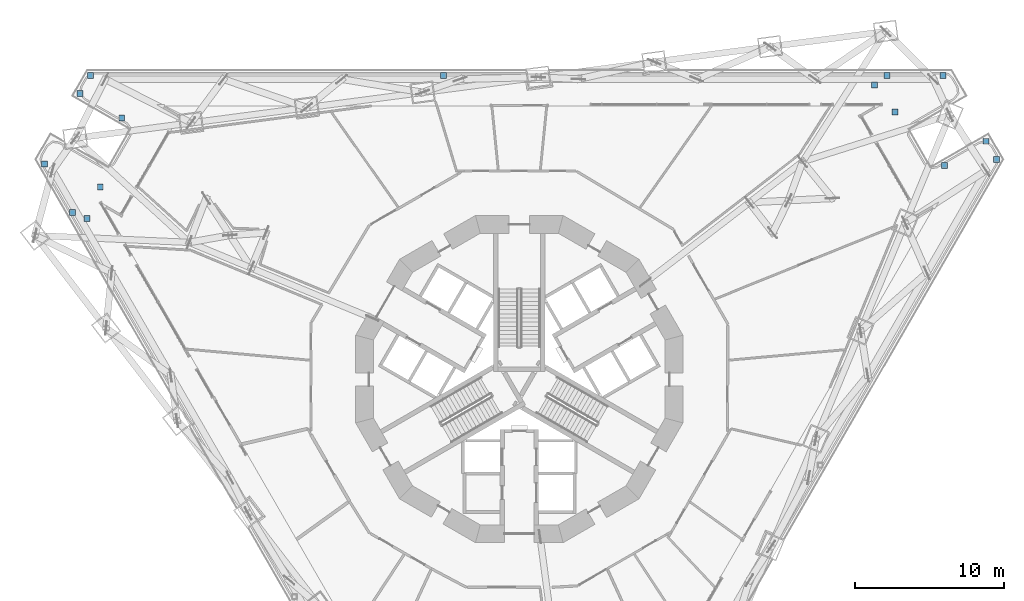
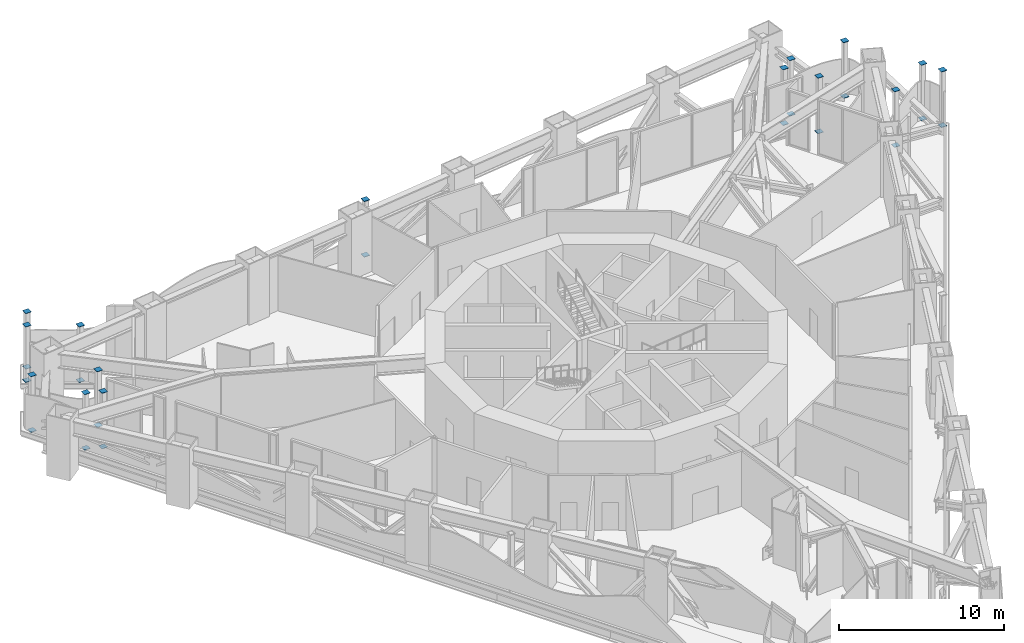
# One storey, part 20 of 28: 30 discrete accessories.
"""IFC4 building model written with IfcOpenShell, lengths in metres."""

from ifc_helpers import new_model, si_unit, direction, frame, origin, origin_2d, place, context, subcontext, project, spatial, rectangle, extrude, material, element, save


model = new_model("IFC4")

# Units and contexts
model_context = context("Model", 3, precision=1e-05, world=origin(), true_north=direction((0.0, 1.0)))
body_context = subcontext(model_context, "Body", "Model", "MODEL_VIEW")
ifc_project = project(units=[si_unit("LENGTHUNIT", "METRE"), si_unit("AREAUNIT", "SQUARE_METRE"), si_unit("VOLUMEUNIT", "CUBIC_METRE"), si_unit("PLANEANGLEUNIT", "RADIAN"), si_unit("MASSUNIT", "GRAM", prefix="KILO")], contexts=[model_context])

# Site, building, storey
site_placement = place(None, origin())
site = spatial("IfcSite", under=ifc_project, at=site_placement, CompositionType="ELEMENT")
building_placement = place(site_placement, origin())
building = spatial("IfcBuilding", under=site, at=building_placement, Name="Trine Commons Tower", CompositionType="ELEMENT")
storey_placement = place(building_placement, frame((0.0, 0.0, 45.89990234375)))
storey = spatial("IfcBuildingStorey", under=building, at=storey_placement, Name="L10", CompositionType="ELEMENT", Elevation=45.89990234375)

# Discrete accessories
ifc_material = material(Name="Structural steel ASTM A572 Gr50", Category="steel")
for number, where, z_axis, x_axis, name in (
    (1, (48.043212890625, 76.981689453125, 0.0), (0.0, 0.0, 1.0), (1.0, 0.0, 0.0), "Post base plate SP1-11"),
    (2, (48.043212890625, 76.981689453125, 4.1201171875), (0.0, 0.0, 1.0), (1.0, 0.0, 0.0), "Post cap plate SP1-11"),
    (3, (51.796630859375, 75.427001953125, 0.0), (0.0, 0.0, 1.0), (1.0, 0.0, 0.0), "Post base plate SP1-12"),
    (4, (51.796630859375, 75.427001953125, 4.1201171875), (0.0, 0.0, 1.0), (1.0, 0.0, 0.0), "Post cap plate SP1-12"),
    (5, (50.91650390625, 73.302001953125, 0.0), (0.0, 0.0, 1.0), (1.0, 0.0, 0.0), "Post base plate SP1-13"),
    (6, (50.91650390625, 73.302001953125, 4.1201171875), (0.0, 0.0, 1.0), (1.0, 0.0, 0.0), "Post cap plate SP1-13"),
    (7, (49.93212890625, 73.709716796875, 0.0), (0.0, 0.0, 1.0), (1.0, 0.0, 0.0), "Post base plate SP1-14"),
    (8, (49.93212890625, 73.709716796875, 4.1201171875), (0.0, 0.0, 1.0), (1.0, 0.0, 0.0), "Post cap plate SP1-14"),
    (9, (50.42431640625, 81.7119140625, 0.0), (0.0, 0.0, 1.0), (1.0, 0.0, 0.0), "Post base plate SP1-21"),
    (10, (50.42431640625, 81.7119140625, 4.1201171875), (0.0, 0.0, 1.0), (1.0, 0.0, 0.0), "Post cap plate SP1-21"),
    (11, (51.13037109375, 82.9345703125, 0.0), (0.0, 0.0, 1.0), (1.0, 0.0, 0.0), "Post base plate SP1-22"),
    (12, (51.13037109375, 82.9345703125, 4.1201171875), (0.0, 0.0, 1.0), (1.0, 0.0, 0.0), "Post cap plate SP1-22"),
    (13, (74.89013671875, 82.9345703125, 0.0), (0.0, 0.0, 1.0), (1.0, 0.0, 0.0), "Post base plate SP1-23"),
    (14, (74.89013671875, 82.9345703125, 4.1201171875), (0.0, 0.0, 1.0), (1.0, 0.0, 0.0), "Post cap plate SP1-23"),
    (15, (53.242431640625, 80.084716796875, 0.0), (0.0, 0.0, 1.0), (1.0, 0.0, 0.0), "Post base plate SP1-24"),
    (16, (53.242431640625, 80.084716796875, 4.1201171875), (0.0, 0.0, 1.0), (1.0, 0.0, 0.0), "Post cap plate SP1-24"),
    (17, (108.52001953125, 82.9345703125, 0.0), (0.0, 0.0, 1.0), (1.0, 0.0, 0.0), "Post base plate SP1-51"),
    (18, (108.52001953125, 82.9345703125, 4.1201171875), (0.0, 0.0, 1.0), (1.0, 0.0, 0.0), "Post cap plate SP1-51"),
    (19, (105.296875, 80.46142578125, 0.0), (0.0, 0.0, 1.0), (1.0, 0.0, 0.0), "Post base plate SP1-52"),
    (20, (105.296875, 80.46142578125, 4.1201171875), (0.0, 0.0, 1.0), (1.0, 0.0, 0.0), "Post cap plate SP1-52"),
    (21, (103.896728515625, 82.2861328125, 0.0), (0.0, 0.0, 1.0), (1.0, 0.0, 0.0), "Post base plate SP1-53"),
    (22, (103.896728515625, 82.2861328125, 4.1201171875), (0.0, 0.0, 1.0), (1.0, 0.0, 0.0), "Post cap plate SP1-53"),
    (23, (104.74169921875, 82.9345703125, 0.0), (0.0, 0.0, 1.0), (1.0, 0.0, 0.0), "Post base plate SP1-54"),
    (24, (104.74169921875, 82.9345703125, 4.1201171875), (0.0, 0.0, 1.0), (1.0, 0.0, 0.0), "Post cap plate SP1-54"),
    (25, (111.42578125, 78.507568359375, 0.0), (0.0, 0.0, 1.0), (1.0, 0.0, 0.0), "Post base plate SP1-61"),
    (26, (111.42578125, 78.507568359375, 4.1201171875), (0.0, 0.0, 1.0), (1.0, 0.0, 0.0), "Post cap plate SP1-61"),
    (27, (112.1318359375, 77.28466796875, 0.0), (0.0, 0.0, 1.0), (1.0, 0.0, 0.0), "Post base plate SP1-62"),
    (28, (112.1318359375, 77.28466796875, 4.1201171875), (0.0, 0.0, 1.0), (1.0, 0.0, 0.0), "Post cap plate SP1-62"),
    (29, (108.607421875, 76.88037109375, 0.0), (0.0, 0.0, 1.0), (1.0, 0.0, 0.0), "Post base plate SP1-64"),
    (30, (108.607421875, 76.88037109375, 4.1201171875), (0.0, 0.0, 1.0), (1.0, 0.0, 0.0), "Post cap plate SP1-64"),
):
    element("IfcDiscreteAccessory", number, at=place(storey_placement, frame(where, z_axis=z_axis, x_axis=x_axis)), inside=storey, material=ifc_material, Name=name, PredefinedType="BRACKET", context=body_context, shape_type="SweptSolid", body=[
        extrude(rectangle(XDim=0.39990234375, YDim=0.39990234375, at=origin_2d()), origin(), (0.0, 0.0, 1.0), 0.030029296875),
    ])

save(model, "model.ifc")
